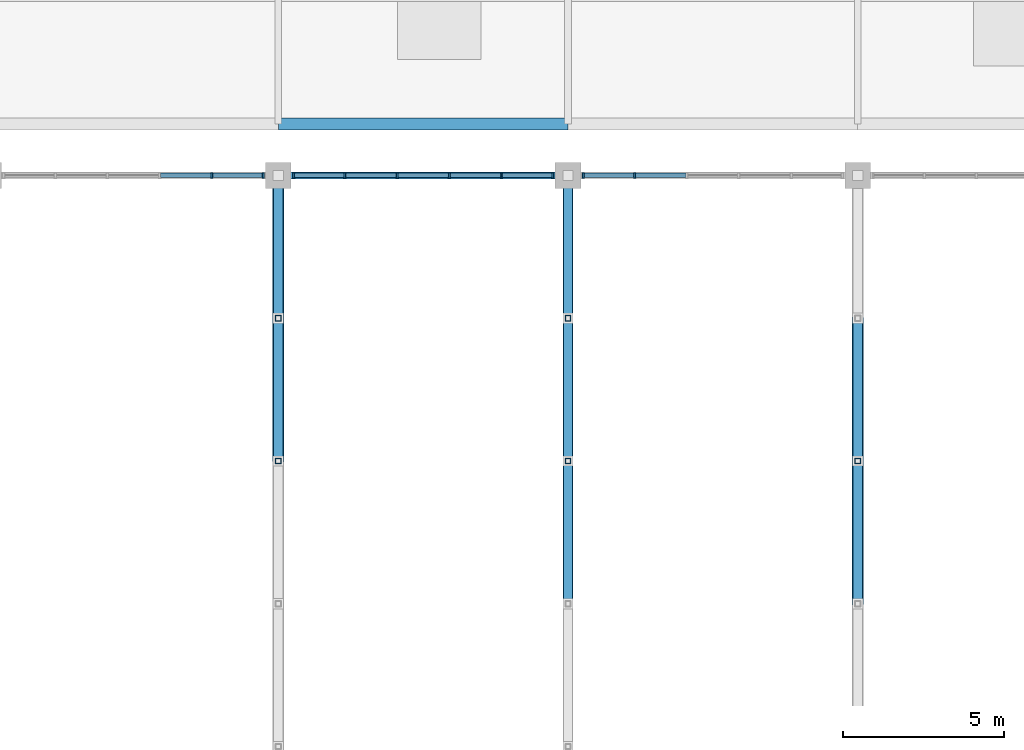
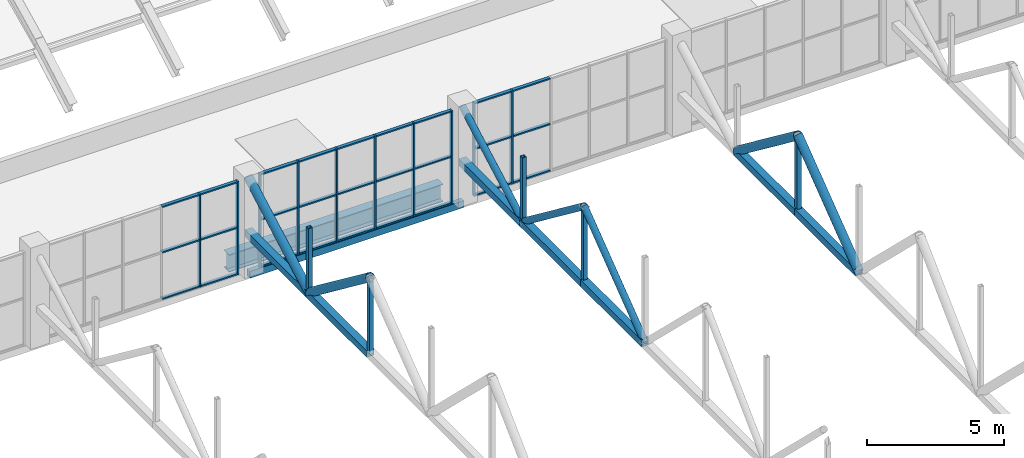
# One storey, part 24 of 103: 56 members, 2 beams, 3 elements without a shape of their own.
"""IFC4 building model written with IfcOpenShell, lengths in metres."""

import ifcopenshell
import ifcopenshell.guid

model = None  # the IFC model being written
_history = None  # IfcOwnerHistory: only IFC2X3 demands one
_inside = {}  # id of a spatial element -> (the spatial element, [elements in it])
_under = {}  # id of a project, library or spatial element -> (it, [spatial elements below it])
_declared = {}  # id of a project -> (the project, [libraries it declares])
_typed = {}  # id of a type object -> (the type object, [elements of that type])
_made_of = {}  # id of a material, layer set ... -> (it, [elements and type objects made of it])


def new_model(schema):
    """Start an empty IFC model of exactly this schema.

    Asked for "IFC4X3", IfcOpenShell would pick the latest addendum, in which some entities
    have other attributes; the version numbers below select the first issue.
    IFC2X3 requires an IfcOwnerHistory on every rooted entity: one is made here for all.
    """
    global model, _history
    if schema == "IFC4X3":
        model = ifcopenshell.file(schema_version=(4, 3, 0, 0))
    else:
        model = ifcopenshell.file(schema=schema)
    _inside.clear()
    _under.clear()
    _declared.clear()
    _typed.clear()
    _made_of.clear()
    _history = None
    if model.schema == "IFC2X3":
        org = make("IfcOrganization", Name="unknown")
        user = make(
            "IfcPersonAndOrganization",
            ThePerson=make("IfcPerson", FamilyName="unknown"),
            TheOrganization=org,
        )
        app = make(
            "IfcApplication",
            ApplicationDeveloper=org,
            Version="unknown",
            ApplicationFullName="unknown",
            ApplicationIdentifier="unknown",
        )
        _history = make(
            "IfcOwnerHistory",
            OwningUser=user,
            OwningApplication=app,
            ChangeAction="ADDED",
            CreationDate=0,
        )
    return model


def make(cls, **values):
    """One entity of the class cls with the attributes given. An attribute that is None is left unset."""
    return model.create_entity(
        cls, **{name: value for name, value in values.items() if value is not None}
    )


def rooted(cls, **values):
    """An entity with a GlobalId (a new one), such as an element, a storey or a relation."""
    return make(cls, GlobalId=ifcopenshell.guid.new(), OwnerHistory=_history, **values)


def si_unit(unit_type, name, prefix=None):
    """IfcSIUnit, for example si_unit("LENGTHUNIT", "METRE", prefix="MILLI")."""
    return make("IfcSIUnit", UnitType=unit_type, Prefix=prefix, Name=name)


def assignment(units):
    """IfcUnitAssignment: the units of a project."""
    return None if units is None else make("IfcUnitAssignment", Units=units)


def point(xyz):
    """IfcCartesianPoint."""
    return None if xyz is None else make("IfcCartesianPoint", Coordinates=xyz)


def direction(xyz):
    """IfcDirection."""
    return None if xyz is None else make("IfcDirection", DirectionRatios=xyz)


def frame(location, z_axis=None, x_axis=None):
    """IfcAxis2Placement3D, a coordinate frame: its origin and axes. An axis left out is left unset."""
    return make(
        "IfcAxis2Placement3D",
        Location=point(location),
        Axis=direction(z_axis),
        RefDirection=direction(x_axis),
    )


def frame_2d(location, x_axis=None):
    """IfcAxis2Placement2D, a coordinate frame in the plane: its origin and x axis."""
    return make(
        "IfcAxis2Placement2D", Location=point(location), RefDirection=direction(x_axis)
    )


def origin():
    """The frame at (0, 0, 0) with its axes left unset."""
    return frame((0.0, 0.0, 0.0))


def origin_2d():
    """The frame at (0, 0) in the plane with its x axis left unset."""
    return frame_2d((0.0, 0.0))


def place(relative_to, where):
    """IfcLocalPlacement: puts the frame where relative to a parent placement (None: the world)."""
    return make(
        "IfcLocalPlacement", PlacementRelTo=relative_to, RelativePlacement=where
    )


def context(
    kind, dimensions, precision=None, world=None, true_north=None, identifier=None
):
    """IfcGeometricRepresentationContext, for example the 3D "Model" context."""
    return make(
        "IfcGeometricRepresentationContext",
        ContextIdentifier=identifier,
        ContextType=kind,
        CoordinateSpaceDimension=dimensions,
        Precision=precision,
        WorldCoordinateSystem=world,
        TrueNorth=true_north,
    )


def subcontext(parent, identifier, kind, view, scale=None):
    """IfcGeometricRepresentationSubContext, for example "Body" below "Model"."""
    return make(
        "IfcGeometricRepresentationSubContext",
        ContextIdentifier=identifier,
        ContextType=kind,
        ParentContext=parent,
        TargetScale=scale,
        TargetView=view,
    )


def project(units=None, contexts=None):
    """IfcProject with its units and contexts."""
    return rooted(
        "IfcProject",
        Name="project",
        RepresentationContexts=contexts,
        UnitsInContext=assignment(units),
    )


def spatial(cls, under=None, at=None, **own):
    """A site, building, storey or space (cls), placed at a placement, below another one or the project."""
    s = rooted(cls, ObjectPlacement=at, **own)
    if under is not None:
        _under.setdefault(under.id(), (under, []))[1].append(s)
    return s


def profile(cls, at=None, kind="AREA", **sizes):
    """A parametric profile (cls). Its sizes go by their IFC names, for example OverallWidth=200.0."""
    return make(cls, ProfileType=kind, Position=at, **sizes)


def rectangle(**sizes):
    """IfcRectangleProfileDef."""
    return profile("IfcRectangleProfileDef", **sizes)


def hollow_rectangle(**sizes):
    """IfcRectangleHollowProfileDef."""
    return profile("IfcRectangleHollowProfileDef", **sizes)


def hollow_circle(**sizes):
    """IfcCircleHollowProfileDef."""
    return profile("IfcCircleHollowProfileDef", **sizes)


def i_section(**sizes):
    """IfcIShapeProfileDef."""
    return profile("IfcIShapeProfileDef", **sizes)


def extrude(swept, where, along, depth):
    """IfcExtrudedAreaSolid: the profile swept, set in the frame where, extruded along a direction by depth."""
    return make(
        "IfcExtrudedAreaSolid",
        SweptArea=swept,
        Position=where,
        ExtrudedDirection=direction(along),
        Depth=depth,
    )


def shape(context_of_items, identifier, shape_type, items):
    """IfcShapeRepresentation: the items that make up one representation, for example the "Body"."""
    return make(
        "IfcShapeRepresentation",
        ContextOfItems=context_of_items,
        RepresentationIdentifier=identifier,
        RepresentationType=shape_type,
        Items=items,
    )


def material(Name=None, Category=None):
    """IfcMaterial."""
    return make("IfcMaterial", Name=Name, Category=Category)


def layer(
    of_material, thickness, ventilated=None, Name=None, Category=None, Priority=None
):
    """IfcMaterialLayer: one layer of a wall or slab, of a material (None: an air gap)."""
    return make(
        "IfcMaterialLayer",
        Material=of_material,
        LayerThickness=thickness,
        IsVentilated=ventilated,
        Name=Name,
        Category=Category,
        Priority=Priority,
    )


def layer_set(layers, Name=None):
    """IfcMaterialLayerSet."""
    return make("IfcMaterialLayerSet", MaterialLayers=layers, LayerSetName=Name)


def material_profile(
    of_material, cross_section, Name=None, Category=None, Priority=None
):
    """IfcMaterialProfile: a cross section and its material."""
    return make(
        "IfcMaterialProfile",
        Name=Name,
        Material=of_material,
        Profile=cross_section,
        Priority=Priority,
        Category=Category,
    )


def profile_set(profiles, Name=None, composite=None):
    """IfcMaterialProfileSet."""
    return make(
        "IfcMaterialProfileSet",
        Name=Name,
        MaterialProfiles=profiles,
        CompositeProfile=composite,
    )


def made_of(thing, what):
    """Note that an element or type object is made of a material, layer set ...; save() writes the relation."""
    if what is not None:
        _made_of.setdefault(what.id(), (what, []))[1].append(thing)
    return thing


def type_object(cls, material=None, **own):
    """A type object (cls), such as IfcWallType, which elements share."""
    return made_of(rooted(cls, **own), material)


def element(
    cls,
    number,
    at=None,
    inside=None,
    cuts=None,
    type_object=None,
    material=None,
    context=None,
    identifier="Body",
    shape_type=None,
    held_by="IfcProductDefinitionShape",
    body=None,
    shapes=None,
    **own,
):
    """One element of the class cls, such as IfcWall. Its Tag is "e" and its number.

    at: its placement. inside: the storey or other place that contains it. cuts: it is an
    opening in that element (IfcRelVoidsElement). A single representation is given by context,
    identifier, shape_type and body (its items); several are given by shapes. held_by: the class
    of the entity that holds the representations. save() writes the other relations.
    """
    e = rooted(cls, Tag="e%d" % number, ObjectPlacement=at, **own)
    if body is not None:
        shapes = [shape(context, identifier, shape_type, body)]
    if shapes is not None:
        e.Representation = make(held_by, Representations=shapes)
    if inside is not None:
        _inside.setdefault(inside.id(), (inside, []))[1].append(e)
    if cuts is not None:
        rooted(
            "IfcRelVoidsElement", RelatingBuildingElement=cuts, RelatedOpeningElement=e
        )
    if type_object is not None:
        _typed.setdefault(type_object.id(), (type_object, []))[1].append(e)
    return made_of(e, material)


def aggregate(whole, parts):
    """IfcRelAggregates: a whole, such as a stair, and the parts it consists of."""
    return rooted("IfcRelAggregates", RelatingObject=whole, RelatedObjects=parts)


def save(model, path):
    """Write the relations noted so far, then the file.

    IfcRelAggregates (storeys below a building ...), IfcRelContainedInSpatialStructure (elements
    in a storey), IfcRelDefinesByType, IfcRelAssociatesMaterial and IfcRelDeclares: one each for
    every whole, place, type object, material and project.
    """
    for whole, parts in _under.values():
        aggregate(whole, parts)
    for where, things in _inside.values():
        rooted(
            "IfcRelContainedInSpatialStructure",
            RelatedElements=things,
            RelatingStructure=where,
        )
    for kind, things in _typed.values():
        rooted("IfcRelDefinesByType", RelatedObjects=things, RelatingType=kind)
    for what, things in _made_of.values():
        rooted("IfcRelAssociatesMaterial", RelatedObjects=things, RelatingMaterial=what)
    for by, libraries in _declared.values():
        rooted("IfcRelDeclares", RelatingContext=by, RelatedDefinitions=libraries)
    model.write(path)


model = new_model("IFC4")

# Units and contexts
model_context = context("Model", 3, precision=1e-05, world=origin(), true_north=direction((0.0, 1.0)))
body_context = subcontext(model_context, "Body", "Model", "MODEL_VIEW")
ifc_project = project(units=[si_unit("LENGTHUNIT", "METRE"), si_unit("AREAUNIT", "SQUARE_METRE"), si_unit("VOLUMEUNIT", "CUBIC_METRE"), si_unit("PLANEANGLEUNIT", "RADIAN"), si_unit("MASSUNIT", "GRAM", prefix="KILO")], contexts=[model_context])

# Site, building, storey
site_placement = place(None, origin())
site = spatial("IfcSite", under=ifc_project, at=site_placement, CompositionType="ELEMENT")
building_placement = place(site_placement, origin())
building = spatial("IfcBuilding", under=site, at=building_placement, Name="Cazmaro Siding Exhibition Halls", CompositionType="ELEMENT")
storey_placement = place(building_placement, frame((0.0, 0.0, 16.5)))
storey = spatial("IfcBuildingStorey", under=building, at=storey_placement, Name="L03", CompositionType="ELEMENT", Elevation=16.5)

# Curtain wall, members
ifc_material_1 = material(Name="Anodized Bronze Aluminum and Solar-Control Low-E Glazing", Category="aluminium")
ifc_layer = layer(ifc_material_1, 0.159912109375)
ifc_layer_set = layer_set([ifc_layer], Name="Anodized Bronze Aluminum and Solar-Control Low-E Glazing")
curtain_wall_type = type_object("IfcCurtainWallType", Name="CWS-04", PredefinedType="USERDEFINED", material=ifc_layer_set)
curtain_wall_1_placement = place(storey_placement, origin())
curtain_wall_1 = element("IfcCurtainWall", 1, at=curtain_wall_1_placement, inside=storey, type_object=curtain_wall_type, Name="Clerestory Curtain Wall CWS-04 CW-085", ObjectType="CLERESTORY CURTAIN WALL", PredefinedType="USERDEFINED")
ifc_material_2 = material(Name="Anodized Bronze Extruded Aluminum", Category="aluminium")
ifc_material_profile_1 = material_profile(ifc_material_2, rectangle(XDim=0.159912109375, YDim=0.06005859375, at=origin_2d()), Name="CWM-04")
ifc_profile_set_1 = profile_set([ifc_material_profile_1], Name="Anodized Bronze Extruded Aluminum")
member_type_1 = type_object("IfcMemberType", Name="CWM-04", PredefinedType="MULLION", material=ifc_profile_set_1)
member_1_placement = place(storey_placement, frame((98.52490234375, 53.60009765625, 0.0), z_axis=(0.0, 0.0, 1.0), x_axis=(0.0, -1.0, 0.0)))
member_1 = element("IfcMember", 2, at=member_1_placement, type_object=member_type_1, Name="CWS-04 mullion 1", PredefinedType="MULLION", context=body_context, shape_type="SweptSolid", body=[
    extrude(rectangle(XDim=0.159912109375, YDim=0.06005859375, at=origin_2d()), origin(), (0.0, 0.0, 1.0), 4.14990234375),
])
member_2_placement = place(storey_placement, frame((96.93310546875, 53.60009765625, 0.0), z_axis=(0.0, 0.0, 1.0), x_axis=(0.0, -1.0, 0.0)))
member_2 = element("IfcMember", 3, at=member_2_placement, type_object=member_type_1, Name="CWS-04 mullion 2", PredefinedType="MULLION", context=body_context, shape_type="SweptSolid", body=[
    extrude(rectangle(XDim=0.159912109375, YDim=0.06005859375, at=origin_2d()), origin(), (0.0, 0.0, 1.0), 4.14990234375),
])

curtain_wall_2_placement = place(storey_placement, origin())
curtain_wall_2 = element("IfcCurtainWall", 4, at=curtain_wall_2_placement, inside=storey, type_object=curtain_wall_type, Name="Clerestory Curtain Wall CWS-04 CW-087", ObjectType="CLERESTORY CURTAIN WALL", PredefinedType="USERDEFINED")
member_3_placement = place(storey_placement, frame((107.52490234375, 53.60009765625, 0.0), z_axis=(0.0, 0.0, 1.0), x_axis=(0.0, -1.0, 0.0)))
member_3 = element("IfcMember", 5, at=member_3_placement, type_object=member_type_1, Name="CWS-04 mullion 1", PredefinedType="MULLION", context=body_context, shape_type="SweptSolid", body=[
    extrude(rectangle(XDim=0.159912109375, YDim=0.06005859375, at=origin_2d()), origin(), (0.0, 0.0, 1.0), 4.14990234375),
])
member_4_placement = place(storey_placement, frame((105.93310546875, 53.60009765625, 0.0), z_axis=(0.0, 0.0, 1.0), x_axis=(0.0, -1.0, 0.0)))
member_4 = element("IfcMember", 6, at=member_4_placement, type_object=member_type_1, Name="CWS-04 mullion 2", PredefinedType="MULLION", context=body_context, shape_type="SweptSolid", body=[
    extrude(rectangle(XDim=0.159912109375, YDim=0.06005859375, at=origin_2d()), origin(), (0.0, 0.0, 1.0), 4.14990234375),
])
member_5_placement = place(storey_placement, frame((104.31103515625, 53.60009765625, 0.0), z_axis=(0.0, 0.0, 1.0), x_axis=(0.0, -1.0, 0.0)))
member_5 = element("IfcMember", 7, at=member_5_placement, type_object=member_type_1, Name="CWS-04 mullion 3", PredefinedType="MULLION", context=body_context, shape_type="SweptSolid", body=[
    extrude(rectangle(XDim=0.159912109375, YDim=0.06005859375, at=origin_2d()), origin(), (0.0, 0.0, 1.0), 4.14990234375),
])
member_6_placement = place(storey_placement, frame((102.68896484375, 53.60009765625, 0.0), z_axis=(0.0, 0.0, 1.0), x_axis=(0.0, -1.0, 0.0)))
member_6 = element("IfcMember", 8, at=member_6_placement, type_object=member_type_1, Name="CWS-04 mullion 4", PredefinedType="MULLION", context=body_context, shape_type="SweptSolid", body=[
    extrude(rectangle(XDim=0.159912109375, YDim=0.06005859375, at=origin_2d()), origin(), (0.0, 0.0, 1.0), 4.14990234375),
])
member_7_placement = place(storey_placement, frame((101.06689453125, 53.60009765625, 0.0), z_axis=(0.0, 0.0, 1.0), x_axis=(0.0, -1.0, 0.0)))
member_7 = element("IfcMember", 9, at=member_7_placement, type_object=member_type_1, Name="CWS-04 mullion 5", PredefinedType="MULLION", context=body_context, shape_type="SweptSolid", body=[
    extrude(rectangle(XDim=0.159912109375, YDim=0.06005859375, at=origin_2d()), origin(), (0.0, 0.0, 1.0), 4.14990234375),
])
member_8_placement = place(storey_placement, frame((99.47509765625, 53.60009765625, 0.0), z_axis=(0.0, 0.0, 1.0), x_axis=(0.0, -1.0, 0.0)))
member_8 = element("IfcMember", 10, at=member_8_placement, type_object=member_type_1, Name="CWS-04 mullion 6", PredefinedType="MULLION", context=body_context, shape_type="SweptSolid", body=[
    extrude(rectangle(XDim=0.159912109375, YDim=0.06005859375, at=origin_2d()), origin(), (0.0, 0.0, 1.0), 4.14990234375),
])

curtain_wall_3_placement = place(storey_placement, origin())
curtain_wall_3 = element("IfcCurtainWall", 11, at=curtain_wall_3_placement, inside=storey, type_object=curtain_wall_type, Name="Clerestory Curtain Wall CWS-04 CW-089", ObjectType="CLERESTORY CURTAIN WALL", PredefinedType="USERDEFINED")
member_9_placement = place(storey_placement, frame((110.06689453125, 53.60009765625, 0.0), z_axis=(0.0, 0.0, 1.0), x_axis=(0.0, -1.0, 0.0)))
member_9 = element("IfcMember", 12, at=member_9_placement, type_object=member_type_1, Name="CWS-04 mullion 5", PredefinedType="MULLION", context=body_context, shape_type="SweptSolid", body=[
    extrude(rectangle(XDim=0.159912109375, YDim=0.06005859375, at=origin_2d()), origin(), (0.0, 0.0, 1.0), 4.14990234375),
])
member_10_placement = place(storey_placement, frame((108.47509765625, 53.60009765625, 0.0), z_axis=(0.0, 0.0, 1.0), x_axis=(0.0, -1.0, 0.0)))
member_10 = element("IfcMember", 13, at=member_10_placement, type_object=member_type_1, Name="CWS-04 mullion 6", PredefinedType="MULLION", context=body_context, shape_type="SweptSolid", body=[
    extrude(rectangle(XDim=0.159912109375, YDim=0.06005859375, at=origin_2d()), origin(), (0.0, 0.0, 1.0), 4.14990234375),
])

# Member
ifc_material_3 = material(Name="Anodized Bronze Extruded Aluminum", Category="aluminium")
ifc_material_profile_2 = material_profile(ifc_material_3, rectangle(XDim=0.139892578125, YDim=0.06005859375, at=origin_2d()), Name="CWT-04")
ifc_profile_set_2 = profile_set([ifc_material_profile_2], Name="Anodized Bronze Extruded Aluminum")
member_type_2 = type_object("IfcMemberType", Name="CWT-04", PredefinedType="MULLION", material=ifc_profile_set_2)
member_11_placement = place(storey_placement, frame((98.4951171875, 53.60009765625, 0.030029296875), z_axis=(-1.0, 0.0, 0.0), x_axis=(0.0, -1.0, 0.0)))
member_11 = element("IfcMember", 14, at=member_11_placement, type_object=member_type_2, Name="CWS-04 transom 1.1", ObjectType="TRANSOM", PredefinedType="USERDEFINED", context=body_context, shape_type="SweptSolid", body=[
    extrude(rectangle(XDim=0.139892578125, YDim=0.06005859375, at=origin_2d()), origin(), (0.0, 0.0, 1.0), 1.5322265625),
])

member_12_placement = place(storey_placement, frame((98.4951171875, 53.60009765625, 2.10009765625), z_axis=(-1.0, 0.0, 0.0), x_axis=(0.0, -1.0, 0.0)))
member_12 = element("IfcMember", 15, at=member_12_placement, type_object=member_type_2, Name="CWS-04 transom 1.2", ObjectType="TRANSOM", PredefinedType="USERDEFINED", context=body_context, shape_type="SweptSolid", body=[
    extrude(rectangle(XDim=0.139892578125, YDim=0.06005859375, at=origin_2d()), origin(), (0.0, 0.0, 1.0), 1.5322265625),
])

member_13_placement = place(storey_placement, frame((98.4951171875, 53.60009765625, 4.1201171875), z_axis=(-1.0, 0.0, 0.0), x_axis=(0.0, -1.0, 0.0)))
member_13 = element("IfcMember", 16, at=member_13_placement, type_object=member_type_2, Name="CWS-04 transom 1.3", ObjectType="TRANSOM", PredefinedType="USERDEFINED", context=body_context, shape_type="SweptSolid", body=[
    extrude(rectangle(XDim=0.139892578125, YDim=0.06005859375, at=origin_2d()), origin(), (0.0, 0.0, 1.0), 1.5322265625),
])

member_14_placement = place(storey_placement, frame((96.903076171875, 53.60009765625, 0.030029296875), z_axis=(-1.0, 0.0, 0.0), x_axis=(0.0, -1.0, 0.0)))
member_14 = element("IfcMember", 17, at=member_14_placement, type_object=member_type_2, Name="CWS-04 transom 2.1", ObjectType="TRANSOM", PredefinedType="USERDEFINED", context=body_context, shape_type="SweptSolid", body=[
    extrude(rectangle(XDim=0.139892578125, YDim=0.06005859375, at=origin_2d()), origin(), (0.0, 0.0, 1.0), 1.56201171875),
])

member_15_placement = place(storey_placement, frame((96.903076171875, 53.60009765625, 2.10009765625), z_axis=(-1.0, 0.0, 0.0), x_axis=(0.0, -1.0, 0.0)))
member_15 = element("IfcMember", 18, at=member_15_placement, type_object=member_type_2, Name="CWS-04 transom 2.2", ObjectType="TRANSOM", PredefinedType="USERDEFINED", context=body_context, shape_type="SweptSolid", body=[
    extrude(rectangle(XDim=0.139892578125, YDim=0.06005859375, at=origin_2d()), origin(), (0.0, 0.0, 1.0), 1.56201171875),
])

member_16_placement = place(storey_placement, frame((96.903076171875, 53.60009765625, 4.1201171875), z_axis=(-1.0, 0.0, 0.0), x_axis=(0.0, -1.0, 0.0)))
member_16 = element("IfcMember", 19, at=member_16_placement, type_object=member_type_2, Name="CWS-04 transom 2.3", ObjectType="TRANSOM", PredefinedType="USERDEFINED", context=body_context, shape_type="SweptSolid", body=[
    extrude(rectangle(XDim=0.139892578125, YDim=0.06005859375, at=origin_2d()), origin(), (0.0, 0.0, 1.0), 1.56201171875),
])

aggregate(curtain_wall_1, [member_1, member_2, member_11, member_12, member_13, member_14, member_15, member_16])

member_17_placement = place(storey_placement, frame((107.4951171875, 53.60009765625, 0.030029296875), z_axis=(-1.0, 0.0, 0.0), x_axis=(0.0, -1.0, 0.0)))
member_17 = element("IfcMember", 20, at=member_17_placement, type_object=member_type_2, Name="CWS-04 transom 1.1", ObjectType="TRANSOM", PredefinedType="USERDEFINED", context=body_context, shape_type="SweptSolid", body=[
    extrude(rectangle(XDim=0.139892578125, YDim=0.06005859375, at=origin_2d()), origin(), (0.0, 0.0, 1.0), 1.5322265625),
])

member_18_placement = place(storey_placement, frame((107.4951171875, 53.60009765625, 2.10009765625), z_axis=(-1.0, 0.0, 0.0), x_axis=(0.0, -1.0, 0.0)))
member_18 = element("IfcMember", 21, at=member_18_placement, type_object=member_type_2, Name="CWS-04 transom 1.2", ObjectType="TRANSOM", PredefinedType="USERDEFINED", context=body_context, shape_type="SweptSolid", body=[
    extrude(rectangle(XDim=0.139892578125, YDim=0.06005859375, at=origin_2d()), origin(), (0.0, 0.0, 1.0), 1.5322265625),
])

member_19_placement = place(storey_placement, frame((107.4951171875, 53.60009765625, 4.1201171875), z_axis=(-1.0, 0.0, 0.0), x_axis=(0.0, -1.0, 0.0)))
member_19 = element("IfcMember", 22, at=member_19_placement, type_object=member_type_2, Name="CWS-04 transom 1.3", ObjectType="TRANSOM", PredefinedType="USERDEFINED", context=body_context, shape_type="SweptSolid", body=[
    extrude(rectangle(XDim=0.139892578125, YDim=0.06005859375, at=origin_2d()), origin(), (0.0, 0.0, 1.0), 1.5322265625),
])

member_20_placement = place(storey_placement, frame((105.903076171875, 53.60009765625, 0.030029296875), z_axis=(-1.0, 0.0, 0.0), x_axis=(0.0, -1.0, 0.0)))
member_20 = element("IfcMember", 23, at=member_20_placement, type_object=member_type_2, Name="CWS-04 transom 2.1", ObjectType="TRANSOM", PredefinedType="USERDEFINED", context=body_context, shape_type="SweptSolid", body=[
    extrude(rectangle(XDim=0.139892578125, YDim=0.06005859375, at=origin_2d()), origin(), (0.0, 0.0, 1.0), 1.56201171875),
])

member_21_placement = place(storey_placement, frame((105.903076171875, 53.60009765625, 2.10009765625), z_axis=(-1.0, 0.0, 0.0), x_axis=(0.0, -1.0, 0.0)))
member_21 = element("IfcMember", 24, at=member_21_placement, type_object=member_type_2, Name="CWS-04 transom 2.2", ObjectType="TRANSOM", PredefinedType="USERDEFINED", context=body_context, shape_type="SweptSolid", body=[
    extrude(rectangle(XDim=0.139892578125, YDim=0.06005859375, at=origin_2d()), origin(), (0.0, 0.0, 1.0), 1.56201171875),
])

member_22_placement = place(storey_placement, frame((105.903076171875, 53.60009765625, 4.1201171875), z_axis=(-1.0, 0.0, 0.0), x_axis=(0.0, -1.0, 0.0)))
member_22 = element("IfcMember", 25, at=member_22_placement, type_object=member_type_2, Name="CWS-04 transom 2.3", ObjectType="TRANSOM", PredefinedType="USERDEFINED", context=body_context, shape_type="SweptSolid", body=[
    extrude(rectangle(XDim=0.139892578125, YDim=0.06005859375, at=origin_2d()), origin(), (0.0, 0.0, 1.0), 1.56201171875),
])

member_23_placement = place(storey_placement, frame((104.281005859375, 53.60009765625, 0.030029296875), z_axis=(-1.0, 0.0, 0.0), x_axis=(0.0, -1.0, 0.0)))
member_23 = element("IfcMember", 26, at=member_23_placement, type_object=member_type_2, Name="CWS-04 transom 3.1", ObjectType="TRANSOM", PredefinedType="USERDEFINED", context=body_context, shape_type="SweptSolid", body=[
    extrude(rectangle(XDim=0.139892578125, YDim=0.06005859375, at=origin_2d()), origin(), (0.0, 0.0, 1.0), 1.56201171875),
])

member_24_placement = place(storey_placement, frame((104.281005859375, 53.60009765625, 2.10009765625), z_axis=(-1.0, 0.0, 0.0), x_axis=(0.0, -1.0, 0.0)))
member_24 = element("IfcMember", 27, at=member_24_placement, type_object=member_type_2, Name="CWS-04 transom 3.2", ObjectType="TRANSOM", PredefinedType="USERDEFINED", context=body_context, shape_type="SweptSolid", body=[
    extrude(rectangle(XDim=0.139892578125, YDim=0.06005859375, at=origin_2d()), origin(), (0.0, 0.0, 1.0), 1.56201171875),
])

member_25_placement = place(storey_placement, frame((104.281005859375, 53.60009765625, 4.1201171875), z_axis=(-1.0, 0.0, 0.0), x_axis=(0.0, -1.0, 0.0)))
member_25 = element("IfcMember", 28, at=member_25_placement, type_object=member_type_2, Name="CWS-04 transom 3.3", ObjectType="TRANSOM", PredefinedType="USERDEFINED", context=body_context, shape_type="SweptSolid", body=[
    extrude(rectangle(XDim=0.139892578125, YDim=0.06005859375, at=origin_2d()), origin(), (0.0, 0.0, 1.0), 1.56201171875),
])

member_26_placement = place(storey_placement, frame((102.658935546875, 53.60009765625, 0.030029296875), z_axis=(-1.0, 0.0, 0.0), x_axis=(0.0, -1.0, 0.0)))
member_26 = element("IfcMember", 29, at=member_26_placement, type_object=member_type_2, Name="CWS-04 transom 4.1", ObjectType="TRANSOM", PredefinedType="USERDEFINED", context=body_context, shape_type="SweptSolid", body=[
    extrude(rectangle(XDim=0.139892578125, YDim=0.06005859375, at=origin_2d()), origin(), (0.0, 0.0, 1.0), 1.56201171875),
])

member_27_placement = place(storey_placement, frame((102.658935546875, 53.60009765625, 2.10009765625), z_axis=(-1.0, 0.0, 0.0), x_axis=(0.0, -1.0, 0.0)))
member_27 = element("IfcMember", 30, at=member_27_placement, type_object=member_type_2, Name="CWS-04 transom 4.2", ObjectType="TRANSOM", PredefinedType="USERDEFINED", context=body_context, shape_type="SweptSolid", body=[
    extrude(rectangle(XDim=0.139892578125, YDim=0.06005859375, at=origin_2d()), origin(), (0.0, 0.0, 1.0), 1.56201171875),
])

member_28_placement = place(storey_placement, frame((102.658935546875, 53.60009765625, 4.1201171875), z_axis=(-1.0, 0.0, 0.0), x_axis=(0.0, -1.0, 0.0)))
member_28 = element("IfcMember", 31, at=member_28_placement, type_object=member_type_2, Name="CWS-04 transom 4.3", ObjectType="TRANSOM", PredefinedType="USERDEFINED", context=body_context, shape_type="SweptSolid", body=[
    extrude(rectangle(XDim=0.139892578125, YDim=0.06005859375, at=origin_2d()), origin(), (0.0, 0.0, 1.0), 1.56201171875),
])

member_29_placement = place(storey_placement, frame((101.037109375, 53.60009765625, 0.030029296875), z_axis=(-1.0, 0.0, 0.0), x_axis=(0.0, -1.0, 0.0)))
member_29 = element("IfcMember", 32, at=member_29_placement, type_object=member_type_2, Name="CWS-04 transom 5.1", ObjectType="TRANSOM", PredefinedType="USERDEFINED", context=body_context, shape_type="SweptSolid", body=[
    extrude(rectangle(XDim=0.139892578125, YDim=0.06005859375, at=origin_2d()), origin(), (0.0, 0.0, 1.0), 1.5322265625),
])

member_30_placement = place(storey_placement, frame((101.037109375, 53.60009765625, 2.10009765625), z_axis=(-1.0, 0.0, 0.0), x_axis=(0.0, -1.0, 0.0)))
member_30 = element("IfcMember", 33, at=member_30_placement, type_object=member_type_2, Name="CWS-04 transom 5.2", ObjectType="TRANSOM", PredefinedType="USERDEFINED", context=body_context, shape_type="SweptSolid", body=[
    extrude(rectangle(XDim=0.139892578125, YDim=0.06005859375, at=origin_2d()), origin(), (0.0, 0.0, 1.0), 1.5322265625),
])

member_31_placement = place(storey_placement, frame((101.037109375, 53.60009765625, 4.1201171875), z_axis=(-1.0, 0.0, 0.0), x_axis=(0.0, -1.0, 0.0)))
member_31 = element("IfcMember", 34, at=member_31_placement, type_object=member_type_2, Name="CWS-04 transom 5.3", ObjectType="TRANSOM", PredefinedType="USERDEFINED", context=body_context, shape_type="SweptSolid", body=[
    extrude(rectangle(XDim=0.139892578125, YDim=0.06005859375, at=origin_2d()), origin(), (0.0, 0.0, 1.0), 1.5322265625),
])

aggregate(curtain_wall_2, [member_3, member_4, member_5, member_6, member_7, member_8, member_17, member_18, member_19, member_20, member_21, member_22, member_23, member_24, member_25, member_26, member_27, member_28, member_29, member_30, member_31])

member_32_placement = place(storey_placement, frame((111.658935546875, 53.60009765625, 0.030029296875), z_axis=(-1.0, 0.0, 0.0), x_axis=(0.0, -1.0, 0.0)))
member_32 = element("IfcMember", 35, at=member_32_placement, type_object=member_type_2, Name="CWS-04 transom 4.1", ObjectType="TRANSOM", PredefinedType="USERDEFINED", context=body_context, shape_type="SweptSolid", body=[
    extrude(rectangle(XDim=0.139892578125, YDim=0.06005859375, at=origin_2d()), origin(), (0.0, 0.0, 1.0), 1.56201171875),
])

member_33_placement = place(storey_placement, frame((111.658935546875, 53.60009765625, 2.10009765625), z_axis=(-1.0, 0.0, 0.0), x_axis=(0.0, -1.0, 0.0)))
member_33 = element("IfcMember", 36, at=member_33_placement, type_object=member_type_2, Name="CWS-04 transom 4.2", ObjectType="TRANSOM", PredefinedType="USERDEFINED", context=body_context, shape_type="SweptSolid", body=[
    extrude(rectangle(XDim=0.139892578125, YDim=0.06005859375, at=origin_2d()), origin(), (0.0, 0.0, 1.0), 1.56201171875),
])

member_34_placement = place(storey_placement, frame((111.658935546875, 53.60009765625, 4.1201171875), z_axis=(-1.0, 0.0, 0.0), x_axis=(0.0, -1.0, 0.0)))
member_34 = element("IfcMember", 37, at=member_34_placement, type_object=member_type_2, Name="CWS-04 transom 4.3", ObjectType="TRANSOM", PredefinedType="USERDEFINED", context=body_context, shape_type="SweptSolid", body=[
    extrude(rectangle(XDim=0.139892578125, YDim=0.06005859375, at=origin_2d()), origin(), (0.0, 0.0, 1.0), 1.56201171875),
])

member_35_placement = place(storey_placement, frame((110.037109375, 53.60009765625, 0.030029296875), z_axis=(-1.0, 0.0, 0.0), x_axis=(0.0, -1.0, 0.0)))
member_35 = element("IfcMember", 38, at=member_35_placement, type_object=member_type_2, Name="CWS-04 transom 5.1", ObjectType="TRANSOM", PredefinedType="USERDEFINED", context=body_context, shape_type="SweptSolid", body=[
    extrude(rectangle(XDim=0.139892578125, YDim=0.06005859375, at=origin_2d()), origin(), (0.0, 0.0, 1.0), 1.5322265625),
])

member_36_placement = place(storey_placement, frame((110.037109375, 53.60009765625, 2.10009765625), z_axis=(-1.0, 0.0, 0.0), x_axis=(0.0, -1.0, 0.0)))
member_36 = element("IfcMember", 39, at=member_36_placement, type_object=member_type_2, Name="CWS-04 transom 5.2", ObjectType="TRANSOM", PredefinedType="USERDEFINED", context=body_context, shape_type="SweptSolid", body=[
    extrude(rectangle(XDim=0.139892578125, YDim=0.06005859375, at=origin_2d()), origin(), (0.0, 0.0, 1.0), 1.5322265625),
])

member_37_placement = place(storey_placement, frame((110.037109375, 53.60009765625, 4.1201171875), z_axis=(-1.0, 0.0, 0.0), x_axis=(0.0, -1.0, 0.0)))
member_37 = element("IfcMember", 40, at=member_37_placement, type_object=member_type_2, Name="CWS-04 transom 5.3", ObjectType="TRANSOM", PredefinedType="USERDEFINED", context=body_context, shape_type="SweptSolid", body=[
    extrude(rectangle(XDim=0.139892578125, YDim=0.06005859375, at=origin_2d()), origin(), (0.0, 0.0, 1.0), 1.5322265625),
])

aggregate(curtain_wall_3, [member_9, member_10, member_32, member_33, member_34, member_35, member_36, member_37])

# Beams
ifc_material_4 = material(Name="Steel ASTM A992 Grade 50", Category="steel")
ifc_material_profile_3 = material_profile(ifc_material_4, i_section(OverallWidth=0.381103515625, OverallDepth=0.779052734375, WebThickness=0.01806640625, FlangeThickness=0.030029296875, at=origin_2d()), Name="W30X191")
ifc_profile_set_3 = profile_set([ifc_material_profile_3], Name="Steel ASTM A992 Grade 50")
beam_type_1 = type_object("IfcBeamType", Name="G-04", PredefinedType="USERDEFINED", material=ifc_profile_set_3)
beam_1_placement = place(storey_placement, frame((99.0, 55.199951171875, -0.56494140625), z_axis=(1.0, 0.0, 0.0), x_axis=(0.0, 1.0, 0.0)))
element("IfcBeam", 41, at=beam_1_placement, inside=storey, type_object=beam_type_1, Name="Beam G-04 BM-1632", ObjectType="GIRDER", PredefinedType="USERDEFINED", context=body_context, shape_type="SweptSolid", body=[
    extrude(i_section(OverallWidth=0.381103515625, OverallDepth=0.779052734375, WebThickness=0.01806640625, FlangeThickness=0.030029296875, at=origin_2d()), origin(), (0.0, 0.0, 1.0), 9.0),
])
ifc_material_5 = material(Name="Steel ASTM A500 Grade C", Category="steel")
ifc_material_profile_4 = material_profile(ifc_material_5, hollow_rectangle(XDim=0.202880859375, YDim=0.304931640625, WallThickness=0.011962890625, at=origin_2d()), Name="HSS12X8X1/2")
ifc_profile_set_4 = profile_set([ifc_material_profile_4], Name="Steel ASTM A500 Grade C")
beam_type_2 = type_object("IfcBeamType", Name="SP-01", PredefinedType="SPANDREL", material=ifc_profile_set_4)
beam_2_placement = place(storey_placement, frame((99.0, 53.60009765625, -0.152099609375), z_axis=(1.0, 0.0, 0.0), x_axis=(0.0, 1.0, 0.0)))
element("IfcBeam", 42, at=beam_2_placement, inside=storey, type_object=beam_type_2, Name="Beam SP-01 BM-1497", PredefinedType="SPANDREL", context=body_context, shape_type="SweptSolid", body=[
    extrude(hollow_rectangle(XDim=0.202880859375, YDim=0.304931640625, WallThickness=0.011962890625, at=origin_2d()), origin(), (0.0, 0.0, 1.0), 9.0),
])

# Members
ifc_material_6 = material(Name="Steel ASTM A500 Grade C", Category="steel")
ifc_material_profile_5 = material_profile(ifc_material_6, hollow_rectangle(XDim=0.304931640625, YDim=0.304931640625, WallThickness=0.014892578125, at=origin_2d()), Name="HSS12X12X5/8")
ifc_profile_set_5 = profile_set([ifc_material_profile_5], Name="Steel ASTM A500 Grade C")
member_type_3 = type_object("IfcMemberType", Name="TC-02", PredefinedType="CHORD", material=ifc_profile_set_5)
for number, where, z_axis, x_axis, name in (
    (43, (99.0, 44.72998046875, 1.699951171875), (0.0, 1.0, 0.0), (-1.0, 0.0, 0.0), "Warren roof truss bottom chord TC-02 MEM-2444"),
    (44, (99.0, 49.1650390625, 1.699951171875), (0.0, 1.0, 0.0), (-1.0, 0.0, 0.0), "Warren roof truss bottom chord TC-02 MEM-2447"),
    (45, (108.0, 40.294921875, 1.699951171875), (0.0, 1.0, 0.0), (-1.0, 0.0, 0.0), "Warren roof truss bottom chord TC-02 MEM-2480"),
    (46, (108.0, 44.72998046875, 1.699951171875), (0.0, 1.0, 0.0), (-1.0, 0.0, 0.0), "Warren roof truss bottom chord TC-02 MEM-2483"),
    (47, (108.0, 49.1650390625, 1.699951171875), (0.0, 1.0, 0.0), (-1.0, 0.0, 0.0), "Warren roof truss bottom chord TC-02 MEM-2486"),
    (48, (117.0, 40.294921875, 1.699951171875), (0.0, 1.0, 0.0), (-1.0, 0.0, 0.0), "Warren roof truss bottom chord TC-02 MEM-2519"),
    (49, (117.0, 44.72998046875, 1.699951171875), (0.0, 1.0, 0.0), (-1.0, 0.0, 0.0), "Warren roof truss bottom chord TC-02 MEM-2522"),
):
    element("IfcMember", number, at=place(storey_placement, frame(where, z_axis=z_axis, x_axis=x_axis)), inside=storey, type_object=member_type_3, Name=name, PredefinedType="CHORD", context=body_context, shape_type="SweptSolid", body=[
        extrude(hollow_rectangle(XDim=0.304931640625, YDim=0.304931640625, WallThickness=0.014892578125, at=origin_2d()), origin(), (0.0, 0.0, 1.0), 4.43505859375),
    ])
ifc_material_7 = material(Name="Steel ASTM A500 Grade C", Category="steel")
ifc_material_profile_6 = material_profile(ifc_material_7, hollow_rectangle(XDim=0.177978515625, YDim=0.177978515625, WallThickness=0.011962890625, at=origin_2d()), Name="HSS7X7X1/2")
ifc_profile_set_6 = profile_set([ifc_material_profile_6], Name="Steel ASTM A500 Grade C")
member_type_4 = type_object("IfcMemberType", Name="TP-02", PredefinedType="POST", material=ifc_profile_set_6)
member_38_placement = place(storey_placement, frame((99.0, 44.72998046875, 1.699951171875), z_axis=(0.0, 0.0, 1.0), x_axis=(1.0, 0.0, 0.0)))
element("IfcMember", 50, at=member_38_placement, inside=storey, type_object=member_type_4, Name="Warren roof truss vertical TP-02 MEM-2456", PredefinedType="POST", context=body_context, shape_type="SweptSolid", body=[
    extrude(hollow_rectangle(XDim=0.177978515625, YDim=0.177978515625, WallThickness=0.011962890625, at=origin_2d()), origin(), (0.0, 0.0, 1.0), 3.373046875),
])
member_39_placement = place(storey_placement, frame((99.0, 49.1650390625, 1.699951171875), z_axis=(0.0, 0.0, 1.0), x_axis=(1.0, 0.0, 0.0)))
element("IfcMember", 51, at=member_39_placement, inside=storey, type_object=member_type_4, Name="Warren roof truss vertical TP-02 MEM-2457", PredefinedType="POST", context=body_context, shape_type="SweptSolid", body=[
    extrude(hollow_rectangle(XDim=0.177978515625, YDim=0.177978515625, WallThickness=0.011962890625, at=origin_2d()), origin(), (0.0, 0.0, 1.0), 2.906005859375),
])
member_40_placement = place(storey_placement, frame((108.0, 44.72998046875, 1.699951171875), z_axis=(0.0, 0.0, 1.0), x_axis=(1.0, 0.0, 0.0)))
element("IfcMember", 52, at=member_40_placement, inside=storey, type_object=member_type_4, Name="Warren roof truss vertical TP-02 MEM-2495", PredefinedType="POST", context=body_context, shape_type="SweptSolid", body=[
    extrude(hollow_rectangle(XDim=0.177978515625, YDim=0.177978515625, WallThickness=0.011962890625, at=origin_2d()), origin(), (0.0, 0.0, 1.0), 3.373046875),
])
member_41_placement = place(storey_placement, frame((108.0, 49.1650390625, 1.699951171875), z_axis=(0.0, 0.0, 1.0), x_axis=(1.0, 0.0, 0.0)))
element("IfcMember", 53, at=member_41_placement, inside=storey, type_object=member_type_4, Name="Warren roof truss vertical TP-02 MEM-2496", PredefinedType="POST", context=body_context, shape_type="SweptSolid", body=[
    extrude(hollow_rectangle(XDim=0.177978515625, YDim=0.177978515625, WallThickness=0.011962890625, at=origin_2d()), origin(), (0.0, 0.0, 1.0), 2.906005859375),
])
member_42_placement = place(storey_placement, frame((117.0, 44.72998046875, 1.699951171875), z_axis=(0.0, 0.0, 1.0), x_axis=(1.0, 0.0, 0.0)))
element("IfcMember", 54, at=member_42_placement, inside=storey, type_object=member_type_4, Name="Warren roof truss vertical TP-02 MEM-2534", PredefinedType="POST", context=body_context, shape_type="SweptSolid", body=[
    extrude(hollow_rectangle(XDim=0.177978515625, YDim=0.177978515625, WallThickness=0.011962890625, at=origin_2d()), origin(), (0.0, 0.0, 1.0), 3.373046875),
])
ifc_material_8 = material(Name="Steel ASTM A500 Grade C", Category="steel")
ifc_material_profile_7 = material_profile(ifc_material_8, hollow_circle(Radius=0.136474609375, WallThickness=0.012939453125, at=origin_2d()), Name="PIPE10XS")
ifc_profile_set_7 = profile_set([ifc_material_profile_7], Name="Steel ASTM A500 Grade C")
member_type_5 = type_object("IfcMemberType", Name="WB-02", PredefinedType="BRACE", material=ifc_profile_set_7)
for number, where, z_axis, x_axis, name in (
    (55, (108.0, 40.294921875, 1.699951171875), (0.0, 0.795954445209, 0.605356524002), (-1.0, 0.0, 0.0), "Warren roof truss diagonal WB-02 MEM-2481"),
    (56, (108.0, 44.72998046875, 5.072998046875), (0.0, 0.795954445209, -0.605356524002), (-1.0, 0.0, 0.0), "Warren roof truss diagonal WB-02 MEM-2484"),
):
    element("IfcMember", number, at=place(storey_placement, frame(where, z_axis=z_axis, x_axis=x_axis)), inside=storey, type_object=member_type_5, Name=name, PredefinedType="BRACE", context=body_context, shape_type="SweptSolid", body=[
        extrude(hollow_circle(Radius=0.136474609375, WallThickness=0.012939453125, at=origin_2d()), origin(), (0.0, 0.0, 1.0), 5.572021484375),
    ])
member_43_placement = place(storey_placement, frame((108.0, 49.1650390625, 1.699951171875), z_axis=(0.0, 0.876160914294, 0.482018726051), x_axis=(-1.0, 0.0, 0.0)))
element("IfcMember", 57, at=member_43_placement, inside=storey, type_object=member_type_5, Name="Warren roof truss diagonal WB-02 MEM-2487", PredefinedType="BRACE", context=body_context, shape_type="SweptSolid", body=[
    extrude(hollow_circle(Radius=0.136474609375, WallThickness=0.012939453125, at=origin_2d()), origin(), (0.0, 0.0, 1.0), 5.06201171875),
])
ifc_material_9 = material(Name="Steel ASTM A500 Grade C", Category="steel")
ifc_material_profile_8 = material_profile(ifc_material_9, hollow_circle(Radius=0.177978515625, WallThickness=0.012939453125, at=origin_2d()), Name="PIPE14XS")
ifc_profile_set_8 = profile_set([ifc_material_profile_8], Name="Steel ASTM A500 Grade C")
member_type_6 = type_object("IfcMemberType", Name="WB-06", PredefinedType="BRACE", material=ifc_profile_set_8)
member_44_placement = place(storey_placement, frame((99.0, 44.72998046875, 5.072998046875), z_axis=(0.0, 0.795954445209, -0.605356524002), x_axis=(-1.0, 0.0, 0.0)))
element("IfcMember", 58, at=member_44_placement, inside=storey, type_object=member_type_6, Name="Warren roof truss diagonal WB-06 MEM-2445", PredefinedType="BRACE", context=body_context, shape_type="SweptSolid", body=[
    extrude(hollow_circle(Radius=0.177978515625, WallThickness=0.012939453125, at=origin_2d()), origin(), (0.0, 0.0, 1.0), 5.572021484375),
])
member_45_placement = place(storey_placement, frame((99.0, 49.1650390625, 1.699951171875), z_axis=(0.0, 0.876160914294, 0.482018726051), x_axis=(-1.0, 0.0, 0.0)))
element("IfcMember", 59, at=member_45_placement, inside=storey, type_object=member_type_6, Name="Warren roof truss diagonal WB-06 MEM-2448", PredefinedType="BRACE", context=body_context, shape_type="SweptSolid", body=[
    extrude(hollow_circle(Radius=0.177978515625, WallThickness=0.012939453125, at=origin_2d()), origin(), (0.0, 0.0, 1.0), 5.06201171875),
])
for number, where, z_axis, x_axis, name in (
    (60, (117.0, 40.294921875, 1.699951171875), (0.0, 0.795954445209, 0.605356524002), (-1.0, 0.0, 0.0), "Warren roof truss diagonal WB-06 MEM-2520"),
    (61, (117.0, 44.72998046875, 5.072998046875), (0.0, 0.795954445209, -0.605356524002), (-1.0, 0.0, 0.0), "Warren roof truss diagonal WB-06 MEM-2523"),
):
    element("IfcMember", number, at=place(storey_placement, frame(where, z_axis=z_axis, x_axis=x_axis)), inside=storey, type_object=member_type_6, Name=name, PredefinedType="BRACE", context=body_context, shape_type="SweptSolid", body=[
        extrude(hollow_circle(Radius=0.177978515625, WallThickness=0.012939453125, at=origin_2d()), origin(), (0.0, 0.0, 1.0), 5.572021484375),
    ])

save(model, "model.ifc")
